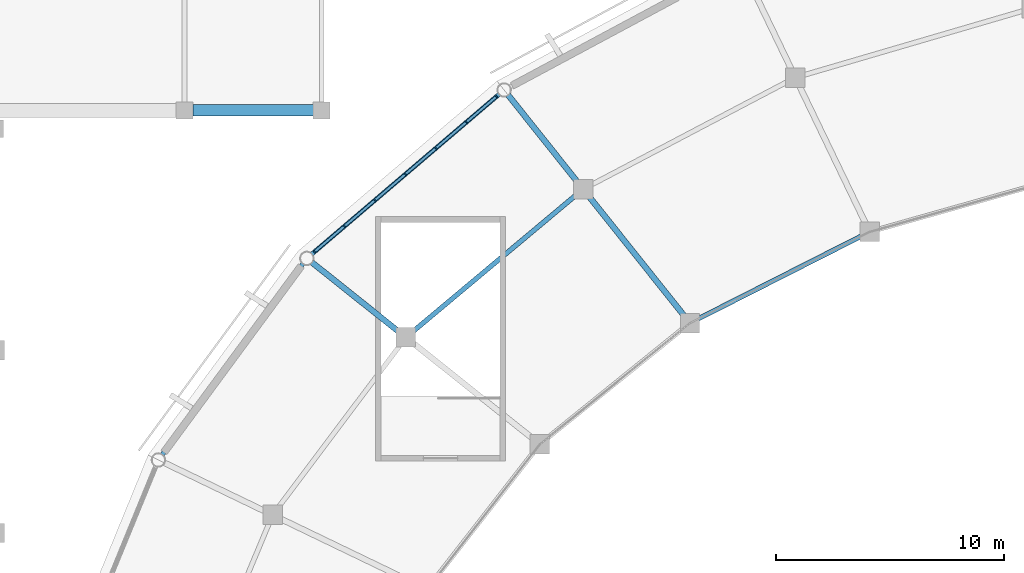
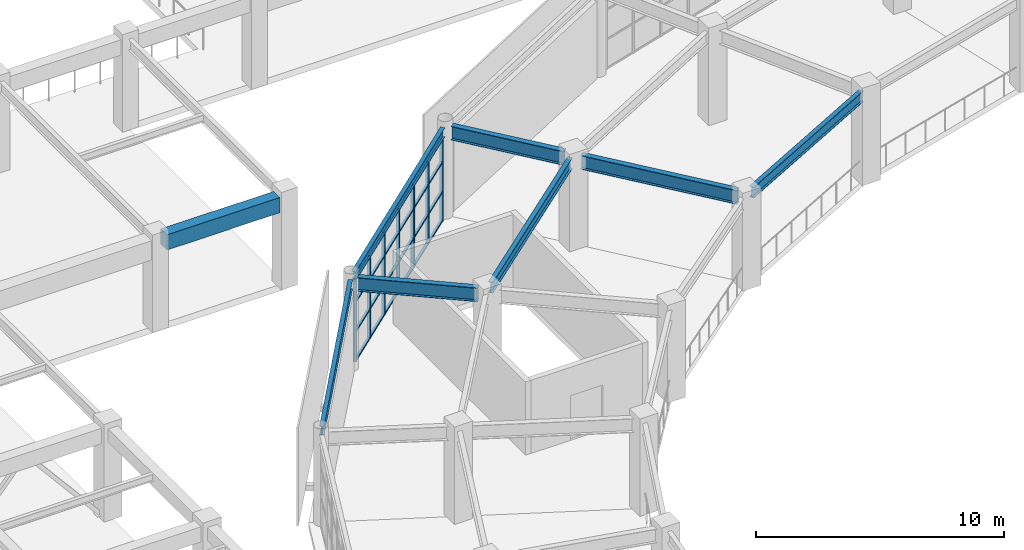
# One storey, part 42 of 112: 31 members, 8 beams, 1 element without a shape of its own.
"""IFC4 building model written with IfcOpenShell, lengths in metres."""

from ifc_helpers import new_model, si_unit, direction, frame, origin, origin_2d, place, context, subcontext, project, spatial, rectangle, i_section, extrude, material, material_profile, profile_set, type_object, element, aggregate, save


model = new_model("IFC4")

# Units and contexts
model_context = context("Model", 3, precision=1e-05, world=origin(), true_north=direction((0.0, 1.0)))
body_context = subcontext(model_context, "Body", "Model", "MODEL_VIEW")
ifc_project = project(units=[si_unit("LENGTHUNIT", "METRE"), si_unit("AREAUNIT", "SQUARE_METRE"), si_unit("VOLUMEUNIT", "CUBIC_METRE"), si_unit("PLANEANGLEUNIT", "RADIAN"), si_unit("MASSUNIT", "GRAM", prefix="KILO")], contexts=[model_context])

# Site, building, storey
site_placement = place(None, origin())
site = spatial("IfcSite", under=ifc_project, at=site_placement, CompositionType="ELEMENT")
building_placement = place(site_placement, origin())
building = spatial("IfcBuilding", under=site, at=building_placement, Name="Cuetzalor Civic Arena", CompositionType="ELEMENT")
storey_placement = place(building_placement, frame((0.0, 0.0, 11.39990234375)))
storey = spatial("IfcBuildingStorey", under=building, at=storey_placement, Name="L02", CompositionType="ELEMENT", Elevation=11.39990234375)

# Beam
ifc_material_1 = material(Name="Concrete C40/50", Category="concrete")
ifc_material_profile_1 = material_profile(ifc_material_1, rectangle(XDim=0.5, YDim=0.75, at=origin_2d()), Name="RC 500x750")
ifc_profile_set_1 = profile_set([ifc_material_profile_1], Name="Concrete C40/50")
beam_type_1 = type_object("IfcBeamType", Name="ConcreteFrameBeam_500x750", PredefinedType="BEAM", material=ifc_profile_set_1)
beam_1_placement = place(storey_placement, frame((-47.635009765625, 35.5, 4.10498046875), z_axis=(1.0, 0.0, 0.0), x_axis=(0.0, 1.0, 0.0)))
element("IfcBeam", 1, at=beam_1_placement, inside=storey, type_object=beam_type_1, Name="Frame Girder V5-L02-X0780", PredefinedType="BEAM", context=body_context, shape_type="SweptSolid", body=[
    extrude(rectangle(XDim=0.5, YDim=0.75, at=origin_2d()), origin(), (0.0, 0.0, 1.0), 5.27001953125),
])

# Curtain wall, members
ifc_material_2 = material(Name="Anodised dark bronze aluminium and low-E solar glass", Category="aluminium")
curtain_wall_type = type_object("IfcCurtainWallType", Name="UnitisedCW_10550x4050", PredefinedType="USERDEFINED", material=ifc_material_2)
curtain_wall_placement = place(storey_placement, origin())
curtain_wall = element("IfcCurtainWall", 2, at=curtain_wall_placement, inside=storey, type_object=curtain_wall_type, Name="Drum Triangle Foyer Curtain Wall L02-037", ObjectType="UNITISED CURTAIN WALL", PredefinedType="USERDEFINED")
ifc_material_3 = material(Name="Anodised dark bronze aluminium", Category="aluminium")
ifc_material_profile_2 = material_profile(ifc_material_3, rectangle(XDim=0.06494140625, YDim=0.14990234375, at=origin_2d()), Name="ALU MULLION 65x150")
ifc_profile_set_2 = profile_set([ifc_material_profile_2], Name="Anodised dark bronze aluminium")
member_type_1 = type_object("IfcMemberType", Name="CurtainWallMullion_60x150", PredefinedType="MULLION", material=ifc_profile_set_2)
member_1_placement = place(storey_placement, frame((-42.310791015625, 29.31201171875, 0.0), z_axis=(0.0, 0.0, 1.0), x_axis=(0.760677142663, 0.64913040649, 0.0)))
member_1 = element("IfcMember", 3, at=member_1_placement, type_object=member_type_1, Name="CW-16 mullion 1", PredefinedType="MULLION", context=body_context, shape_type="SweptSolid", body=[
    extrude(rectangle(XDim=0.06494140625, YDim=0.14990234375, at=origin_2d()), origin(), (0.0, 0.0, 1.0), 4.052978515625),
])
member_2_placement = place(storey_placement, frame((-41.00048828125, 30.43017578125, 0.0), z_axis=(0.0, 0.0, 1.0), x_axis=(0.760677142663, 0.64913040649, 0.0)))
member_2 = element("IfcMember", 4, at=member_2_placement, type_object=member_type_1, Name="CW-16 mullion 2", PredefinedType="MULLION", context=body_context, shape_type="SweptSolid", body=[
    extrude(rectangle(XDim=0.06494140625, YDim=0.14990234375, at=origin_2d()), origin(), (0.0, 0.0, 1.0), 4.052978515625),
])
member_3_placement = place(storey_placement, frame((-39.665283203125, 31.569580078125, 0.0), z_axis=(0.0, 0.0, 1.0), x_axis=(0.760677142663, 0.64913040649, 0.0)))
member_3 = element("IfcMember", 5, at=member_3_placement, type_object=member_type_1, Name="CW-16 mullion 3", PredefinedType="MULLION", context=body_context, shape_type="SweptSolid", body=[
    extrude(rectangle(XDim=0.06494140625, YDim=0.14990234375, at=origin_2d()), origin(), (0.0, 0.0, 1.0), 4.052978515625),
])
member_4_placement = place(storey_placement, frame((-38.330078125, 32.708984375, 0.0), z_axis=(0.0, 0.0, 1.0), x_axis=(0.760677142663, 0.64913040649, 0.0)))
member_4 = element("IfcMember", 6, at=member_4_placement, type_object=member_type_1, Name="CW-16 mullion 4", PredefinedType="MULLION", context=body_context, shape_type="SweptSolid", body=[
    extrude(rectangle(XDim=0.06494140625, YDim=0.14990234375, at=origin_2d()), origin(), (0.0, 0.0, 1.0), 4.052978515625),
])
member_5_placement = place(storey_placement, frame((-36.9951171875, 33.84814453125, 0.0), z_axis=(0.0, 0.0, 1.0), x_axis=(0.760677142663, 0.64913040649, 0.0)))
member_5 = element("IfcMember", 7, at=member_5_placement, type_object=member_type_1, Name="CW-16 mullion 5", PredefinedType="MULLION", context=body_context, shape_type="SweptSolid", body=[
    extrude(rectangle(XDim=0.06494140625, YDim=0.14990234375, at=origin_2d()), origin(), (0.0, 0.0, 1.0), 4.052978515625),
])
member_6_placement = place(storey_placement, frame((-35.659912109375, 34.987548828125, 0.0), z_axis=(0.0, 0.0, 1.0), x_axis=(0.760677142663, 0.64913040649, 0.0)))
member_6 = element("IfcMember", 8, at=member_6_placement, type_object=member_type_1, Name="CW-16 mullion 6", PredefinedType="MULLION", context=body_context, shape_type="SweptSolid", body=[
    extrude(rectangle(XDim=0.06494140625, YDim=0.14990234375, at=origin_2d()), origin(), (0.0, 0.0, 1.0), 4.052978515625),
])
member_7_placement = place(storey_placement, frame((-34.349609375, 36.105712890625, 0.0), z_axis=(0.0, 0.0, 1.0), x_axis=(0.760677142663, 0.64913040649, 0.0)))
member_7 = element("IfcMember", 9, at=member_7_placement, type_object=member_type_1, Name="CW-16 mullion 7", PredefinedType="MULLION", context=body_context, shape_type="SweptSolid", body=[
    extrude(rectangle(XDim=0.06494140625, YDim=0.14990234375, at=origin_2d()), origin(), (0.0, 0.0, 1.0), 4.052978515625),
])
ifc_material_4 = material(Name="Anodised dark bronze aluminium", Category="aluminium")
ifc_material_profile_3 = material_profile(ifc_material_4, rectangle(XDim=0.1201171875, YDim=0.06494140625, at=origin_2d()), Name="ALU TRANSOM 65x120")
ifc_profile_set_3 = profile_set([ifc_material_profile_3], Name="Anodised dark bronze aluminium")
member_type_2 = type_object("IfcMemberType", Name="CurtainWallTransom_60x120", PredefinedType="USERDEFINED", material=ifc_profile_set_3)
member_8_placement = place(storey_placement, frame((-42.2861328125, 29.3330078125, 0.03271484375), z_axis=(0.760647860906, 0.649164718465, 0.0), x_axis=(-0.649164718465, 0.760647860906, 0.0)))
member_8 = element("IfcMember", 10, at=member_8_placement, type_object=member_type_2, Name="CW-16 transom 1.1", ObjectType="TRANSOM", PredefinedType="USERDEFINED", context=body_context, shape_type="SweptSolid", body=[
    extrude(rectangle(XDim=0.1201171875, YDim=0.06494140625, at=origin_2d()), origin(), (0.0, 0.0, 1.0), 1.65771484375),
])
member_9_placement = place(storey_placement, frame((-42.2861328125, 29.3330078125, 1.458984375), z_axis=(0.760647860906, 0.649164718465, 0.0), x_axis=(-0.649164718465, 0.760647860906, 0.0)))
member_9 = element("IfcMember", 11, at=member_9_placement, type_object=member_type_2, Name="CW-16 transom 1.2", ObjectType="TRANSOM", PredefinedType="USERDEFINED", context=body_context, shape_type="SweptSolid", body=[
    extrude(rectangle(XDim=0.1201171875, YDim=0.06494140625, at=origin_2d()), origin(), (0.0, 0.0, 1.0), 1.65771484375),
])
member_10_placement = place(storey_placement, frame((-42.2861328125, 29.3330078125, 2.918212890625), z_axis=(0.760647860906, 0.649164718465, 0.0), x_axis=(-0.649164718465, 0.760647860906, 0.0)))
member_10 = element("IfcMember", 12, at=member_10_placement, type_object=member_type_2, Name="CW-16 transom 1.3", ObjectType="TRANSOM", PredefinedType="USERDEFINED", context=body_context, shape_type="SweptSolid", body=[
    extrude(rectangle(XDim=0.1201171875, YDim=0.06494140625, at=origin_2d()), origin(), (0.0, 0.0, 1.0), 1.65771484375),
])
member_11_placement = place(storey_placement, frame((-42.2861328125, 29.3330078125, 4.0205078125), z_axis=(0.760647860906, 0.649164718465, 0.0), x_axis=(-0.649164718465, 0.760647860906, 0.0)))
member_11 = element("IfcMember", 13, at=member_11_placement, type_object=member_type_2, Name="CW-16 transom 1.4", ObjectType="TRANSOM", PredefinedType="USERDEFINED", context=body_context, shape_type="SweptSolid", body=[
    extrude(rectangle(XDim=0.1201171875, YDim=0.06494140625, at=origin_2d()), origin(), (0.0, 0.0, 1.0), 1.65771484375),
])
member_12_placement = place(storey_placement, frame((-40.9755859375, 30.451416015625, 0.03271484375), z_axis=(0.760661918834, 0.649148245963, 0.0), x_axis=(-0.649148245963, 0.760661918834, 0.0)))
member_12 = element("IfcMember", 14, at=member_12_placement, type_object=member_type_2, Name="CW-16 transom 2.1", ObjectType="TRANSOM", PredefinedType="USERDEFINED", context=body_context, shape_type="SweptSolid", body=[
    extrude(rectangle(XDim=0.1201171875, YDim=0.06494140625, at=origin_2d()), origin(), (0.0, 0.0, 1.0), 1.690185546875),
])
member_13_placement = place(storey_placement, frame((-40.9755859375, 30.451416015625, 1.458984375), z_axis=(0.760661918834, 0.649148245963, 0.0), x_axis=(-0.649148245963, 0.760661918834, 0.0)))
member_13 = element("IfcMember", 15, at=member_13_placement, type_object=member_type_2, Name="CW-16 transom 2.2", ObjectType="TRANSOM", PredefinedType="USERDEFINED", context=body_context, shape_type="SweptSolid", body=[
    extrude(rectangle(XDim=0.1201171875, YDim=0.06494140625, at=origin_2d()), origin(), (0.0, 0.0, 1.0), 1.690185546875),
])
member_14_placement = place(storey_placement, frame((-40.9755859375, 30.451416015625, 2.918212890625), z_axis=(0.760661918834, 0.649148245963, 0.0), x_axis=(-0.649148245963, 0.760661918834, 0.0)))
member_14 = element("IfcMember", 16, at=member_14_placement, type_object=member_type_2, Name="CW-16 transom 2.3", ObjectType="TRANSOM", PredefinedType="USERDEFINED", context=body_context, shape_type="SweptSolid", body=[
    extrude(rectangle(XDim=0.1201171875, YDim=0.06494140625, at=origin_2d()), origin(), (0.0, 0.0, 1.0), 1.690185546875),
])
member_15_placement = place(storey_placement, frame((-40.9755859375, 30.451416015625, 4.0205078125), z_axis=(0.760661918834, 0.649148245963, 0.0), x_axis=(-0.649148245963, 0.760661918834, 0.0)))
member_15 = element("IfcMember", 17, at=member_15_placement, type_object=member_type_2, Name="CW-16 transom 2.4", ObjectType="TRANSOM", PredefinedType="USERDEFINED", context=body_context, shape_type="SweptSolid", body=[
    extrude(rectangle(XDim=0.1201171875, YDim=0.06494140625, at=origin_2d()), origin(), (0.0, 0.0, 1.0), 1.690185546875),
])
member_16_placement = place(storey_placement, frame((-39.640625, 31.590576171875, 0.03271484375), z_axis=(0.760661918834, 0.649148245963, 0.0), x_axis=(-0.649148245963, 0.760661918834, 0.0)))
member_16 = element("IfcMember", 18, at=member_16_placement, type_object=member_type_2, Name="CW-16 transom 3.1", ObjectType="TRANSOM", PredefinedType="USERDEFINED", context=body_context, shape_type="SweptSolid", body=[
    extrude(rectangle(XDim=0.1201171875, YDim=0.06494140625, at=origin_2d()), origin(), (0.0, 0.0, 1.0), 1.690185546875),
])
member_17_placement = place(storey_placement, frame((-39.640625, 31.590576171875, 1.458984375), z_axis=(0.760661918834, 0.649148245963, 0.0), x_axis=(-0.649148245963, 0.760661918834, 0.0)))
member_17 = element("IfcMember", 19, at=member_17_placement, type_object=member_type_2, Name="CW-16 transom 3.2", ObjectType="TRANSOM", PredefinedType="USERDEFINED", context=body_context, shape_type="SweptSolid", body=[
    extrude(rectangle(XDim=0.1201171875, YDim=0.06494140625, at=origin_2d()), origin(), (0.0, 0.0, 1.0), 1.690185546875),
])
member_18_placement = place(storey_placement, frame((-39.640625, 31.590576171875, 2.918212890625), z_axis=(0.760661918834, 0.649148245963, 0.0), x_axis=(-0.649148245963, 0.760661918834, 0.0)))
member_18 = element("IfcMember", 20, at=member_18_placement, type_object=member_type_2, Name="CW-16 transom 3.3", ObjectType="TRANSOM", PredefinedType="USERDEFINED", context=body_context, shape_type="SweptSolid", body=[
    extrude(rectangle(XDim=0.1201171875, YDim=0.06494140625, at=origin_2d()), origin(), (0.0, 0.0, 1.0), 1.690185546875),
])
member_19_placement = place(storey_placement, frame((-39.640625, 31.590576171875, 4.0205078125), z_axis=(0.760661918834, 0.649148245963, 0.0), x_axis=(-0.649148245963, 0.760661918834, 0.0)))
member_19 = element("IfcMember", 21, at=member_19_placement, type_object=member_type_2, Name="CW-16 transom 3.4", ObjectType="TRANSOM", PredefinedType="USERDEFINED", context=body_context, shape_type="SweptSolid", body=[
    extrude(rectangle(XDim=0.1201171875, YDim=0.06494140625, at=origin_2d()), origin(), (0.0, 0.0, 1.0), 1.690185546875),
])
member_20_placement = place(storey_placement, frame((-38.305419921875, 32.72998046875, 0.03271484375), z_axis=(0.760661918834, 0.649148245963, 0.0), x_axis=(-0.649148245963, 0.760661918834, 0.0)))
member_20 = element("IfcMember", 22, at=member_20_placement, type_object=member_type_2, Name="CW-16 transom 4.1", ObjectType="TRANSOM", PredefinedType="USERDEFINED", context=body_context, shape_type="SweptSolid", body=[
    extrude(rectangle(XDim=0.1201171875, YDim=0.06494140625, at=origin_2d()), origin(), (0.0, 0.0, 1.0), 1.690185546875),
])
member_21_placement = place(storey_placement, frame((-38.305419921875, 32.72998046875, 1.458984375), z_axis=(0.760661918834, 0.649148245963, 0.0), x_axis=(-0.649148245963, 0.760661918834, 0.0)))
member_21 = element("IfcMember", 23, at=member_21_placement, type_object=member_type_2, Name="CW-16 transom 4.2", ObjectType="TRANSOM", PredefinedType="USERDEFINED", context=body_context, shape_type="SweptSolid", body=[
    extrude(rectangle(XDim=0.1201171875, YDim=0.06494140625, at=origin_2d()), origin(), (0.0, 0.0, 1.0), 1.690185546875),
])
member_22_placement = place(storey_placement, frame((-38.305419921875, 32.72998046875, 2.918212890625), z_axis=(0.760661918834, 0.649148245963, 0.0), x_axis=(-0.649148245963, 0.760661918834, 0.0)))
member_22 = element("IfcMember", 24, at=member_22_placement, type_object=member_type_2, Name="CW-16 transom 4.3", ObjectType="TRANSOM", PredefinedType="USERDEFINED", context=body_context, shape_type="SweptSolid", body=[
    extrude(rectangle(XDim=0.1201171875, YDim=0.06494140625, at=origin_2d()), origin(), (0.0, 0.0, 1.0), 1.690185546875),
])
member_23_placement = place(storey_placement, frame((-38.305419921875, 32.72998046875, 4.0205078125), z_axis=(0.760661918834, 0.649148245963, 0.0), x_axis=(-0.649148245963, 0.760661918834, 0.0)))
member_23 = element("IfcMember", 25, at=member_23_placement, type_object=member_type_2, Name="CW-16 transom 4.4", ObjectType="TRANSOM", PredefinedType="USERDEFINED", context=body_context, shape_type="SweptSolid", body=[
    extrude(rectangle(XDim=0.1201171875, YDim=0.06494140625, at=origin_2d()), origin(), (0.0, 0.0, 1.0), 1.690185546875),
])
member_24_placement = place(storey_placement, frame((-36.97021484375, 33.869384765625, 0.03271484375), z_axis=(0.760661918834, 0.649148245963, 0.0), x_axis=(-0.649148245963, 0.760661918834, 0.0)))
member_24 = element("IfcMember", 26, at=member_24_placement, type_object=member_type_2, Name="CW-16 transom 5.1", ObjectType="TRANSOM", PredefinedType="USERDEFINED", context=body_context, shape_type="SweptSolid", body=[
    extrude(rectangle(XDim=0.1201171875, YDim=0.06494140625, at=origin_2d()), origin(), (0.0, 0.0, 1.0), 1.690185546875),
])
member_25_placement = place(storey_placement, frame((-36.97021484375, 33.869384765625, 1.458984375), z_axis=(0.760661918834, 0.649148245963, 0.0), x_axis=(-0.649148245963, 0.760661918834, 0.0)))
member_25 = element("IfcMember", 27, at=member_25_placement, type_object=member_type_2, Name="CW-16 transom 5.2", ObjectType="TRANSOM", PredefinedType="USERDEFINED", context=body_context, shape_type="SweptSolid", body=[
    extrude(rectangle(XDim=0.1201171875, YDim=0.06494140625, at=origin_2d()), origin(), (0.0, 0.0, 1.0), 1.690185546875),
])
member_26_placement = place(storey_placement, frame((-36.97021484375, 33.869384765625, 2.918212890625), z_axis=(0.760661918834, 0.649148245963, 0.0), x_axis=(-0.649148245963, 0.760661918834, 0.0)))
member_26 = element("IfcMember", 28, at=member_26_placement, type_object=member_type_2, Name="CW-16 transom 5.3", ObjectType="TRANSOM", PredefinedType="USERDEFINED", context=body_context, shape_type="SweptSolid", body=[
    extrude(rectangle(XDim=0.1201171875, YDim=0.06494140625, at=origin_2d()), origin(), (0.0, 0.0, 1.0), 1.690185546875),
])
member_27_placement = place(storey_placement, frame((-36.97021484375, 33.869384765625, 4.0205078125), z_axis=(0.760661918834, 0.649148245963, 0.0), x_axis=(-0.649148245963, 0.760661918834, 0.0)))
member_27 = element("IfcMember", 29, at=member_27_placement, type_object=member_type_2, Name="CW-16 transom 5.4", ObjectType="TRANSOM", PredefinedType="USERDEFINED", context=body_context, shape_type="SweptSolid", body=[
    extrude(rectangle(XDim=0.1201171875, YDim=0.06494140625, at=origin_2d()), origin(), (0.0, 0.0, 1.0), 1.690185546875),
])
member_28_placement = place(storey_placement, frame((-35.63525390625, 35.008544921875, 0.03271484375), z_axis=(0.760647860906, 0.649164718465, 0.0), x_axis=(-0.649164718465, 0.760647860906, 0.0)))
member_28 = element("IfcMember", 30, at=member_28_placement, type_object=member_type_2, Name="CW-16 transom 6.1", ObjectType="TRANSOM", PredefinedType="USERDEFINED", context=body_context, shape_type="SweptSolid", body=[
    extrude(rectangle(XDim=0.1201171875, YDim=0.06494140625, at=origin_2d()), origin(), (0.0, 0.0, 1.0), 1.65771484375),
])
member_29_placement = place(storey_placement, frame((-35.63525390625, 35.008544921875, 1.458984375), z_axis=(0.760647860906, 0.649164718465, 0.0), x_axis=(-0.649164718465, 0.760647860906, 0.0)))
member_29 = element("IfcMember", 31, at=member_29_placement, type_object=member_type_2, Name="CW-16 transom 6.2", ObjectType="TRANSOM", PredefinedType="USERDEFINED", context=body_context, shape_type="SweptSolid", body=[
    extrude(rectangle(XDim=0.1201171875, YDim=0.06494140625, at=origin_2d()), origin(), (0.0, 0.0, 1.0), 1.65771484375),
])
member_30_placement = place(storey_placement, frame((-35.63525390625, 35.008544921875, 2.918212890625), z_axis=(0.760647860906, 0.649164718465, 0.0), x_axis=(-0.649164718465, 0.760647860906, 0.0)))
member_30 = element("IfcMember", 32, at=member_30_placement, type_object=member_type_2, Name="CW-16 transom 6.3", ObjectType="TRANSOM", PredefinedType="USERDEFINED", context=body_context, shape_type="SweptSolid", body=[
    extrude(rectangle(XDim=0.1201171875, YDim=0.06494140625, at=origin_2d()), origin(), (0.0, 0.0, 1.0), 1.65771484375),
])
member_31_placement = place(storey_placement, frame((-35.63525390625, 35.008544921875, 4.0205078125), z_axis=(0.760647860906, 0.649164718465, 0.0), x_axis=(-0.649164718465, 0.760647860906, 0.0)))
member_31 = element("IfcMember", 33, at=member_31_placement, type_object=member_type_2, Name="CW-16 transom 6.4", ObjectType="TRANSOM", PredefinedType="USERDEFINED", context=body_context, shape_type="SweptSolid", body=[
    extrude(rectangle(XDim=0.1201171875, YDim=0.06494140625, at=origin_2d()), origin(), (0.0, 0.0, 1.0), 1.65771484375),
])
aggregate(curtain_wall, [member_1, member_2, member_3, member_4, member_5, member_6, member_7, member_8, member_9, member_10, member_11, member_12, member_13, member_14, member_15, member_16, member_17, member_18, member_19, member_20, member_21, member_22, member_23, member_24, member_25, member_26, member_27, member_28, member_29, member_30, member_31])

# Beams
ifc_material_5 = material(Name="Steel S355", Category="steel")
ifc_material_profile_4 = material_profile(ifc_material_5, i_section(OverallWidth=0.18994140625, OverallDepth=0.45703125, WebThickness=0.009033203125, FlangeThickness=0.014404296875, at=origin_2d()), Name="W460x74")
ifc_profile_set_4 = profile_set([ifc_material_profile_4], Name="Steel S355")
beam_type_2 = type_object("IfcBeamType", Name="FacadeSpandrelBeam_W460", PredefinedType="SPANDREL", material=ifc_profile_set_4)
beam_2_placement = place(storey_placement, frame((-34.23193359375, 36.2060546875, 4.29150390625), z_axis=(-0.760676650628, -0.649130983076, 0.0), x_axis=(0.649130983076, -0.760676650628, 0.0)))
element("IfcBeam", 34, at=beam_2_placement, inside=storey, type_object=beam_type_2, Name="Drum Perimeter Spandrel L02-S11", PredefinedType="SPANDREL", context=body_context, shape_type="SweptSolid", body=[
    extrude(i_section(OverallWidth=0.18994140625, OverallDepth=0.45703125, WebThickness=0.009033203125, FlangeThickness=0.014404296875, at=origin_2d()), origin(), (0.0, 0.0, 1.0), 10.77490234375),
])
beam_3_placement = place(storey_placement, frame((-42.82080078125, 28.7900390625, 4.29150390625), z_axis=(-0.592928645702, -0.805255003776, 0.0), x_axis=(0.805255003776, -0.592928645702, 0.0)))
element("IfcBeam", 35, at=beam_3_placement, inside=storey, type_object=beam_type_2, Name="Drum Perimeter Spandrel L02-S12", PredefinedType="SPANDREL", context=body_context, shape_type="SweptSolid", body=[
    extrude(i_section(OverallWidth=0.18994140625, OverallDepth=0.45703125, WebThickness=0.009033203125, FlangeThickness=0.014404296875, at=origin_2d()), origin(), (0.0, 0.0, 1.0), 10.380615234375),
])
ifc_material_6 = material(Name="Steel S355", Category="steel")
ifc_material_profile_5 = material_profile(ifc_material_6, i_section(OverallWidth=0.208984375, OverallDepth=0.532958984375, WebThickness=0.01025390625, FlangeThickness=0.015625, at=origin_2d()), Name="W530x92")
ifc_profile_set_5 = profile_set([ifc_material_profile_5], Name="Steel S355")
beam_type_3 = type_object("IfcBeamType", Name="SteelCollarGirder_W530", PredefinedType="BEAM", material=ifc_profile_set_5)
beam_4_placement = place(storey_placement, frame((-18.327392578125, 30.019775390625, 4.253662109375), z_axis=(-0.89182706622, -0.452376484754, 0.0), x_axis=(0.452376484754, -0.89182706622, 0.0)))
element("IfcBeam", 36, at=beam_4_placement, inside=storey, type_object=beam_type_3, Name="Bowl Inner Ring Girder L02-S10", PredefinedType="BEAM", context=body_context, shape_type="SweptSolid", body=[
    extrude(i_section(OverallWidth=0.208984375, OverallDepth=0.532958984375, WebThickness=0.01025390625, FlangeThickness=0.015625, at=origin_2d()), origin(), (0.0, 0.0, 1.0), 8.102783203125),
])
beam_5_placement = place(storey_placement, frame((-30.834716796875, 31.817626953125, 4.253662109375), z_axis=(-0.766937066427, -0.641722320121, 0.0), x_axis=(0.641722320121, -0.766937066427, 0.0)))
element("IfcBeam", 37, at=beam_5_placement, inside=storey, type_object=beam_type_3, Name="Drum Concourse Ring Girder L02-S11", PredefinedType="BEAM", context=body_context, shape_type="SweptSolid", body=[
    extrude(i_section(OverallWidth=0.208984375, OverallDepth=0.532958984375, WebThickness=0.01025390625, FlangeThickness=0.015625, at=origin_2d()), origin(), (0.0, 0.0, 1.0), 9.37646484375),
])
ifc_material_7 = material(Name="Steel S355", Category="steel")
ifc_material_profile_6 = material_profile(ifc_material_7, i_section(OverallWidth=0.2529296875, OverallDepth=0.677978515625, WebThickness=0.01171875, FlangeThickness=0.016357421875, at=origin_2d()), Name="W690x125")
ifc_profile_set_6 = profile_set([ifc_material_profile_6], Name="Steel S355")
beam_type_4 = type_object("IfcBeamType", Name="SteelPrimaryGirder_W690", PredefinedType="BEAM", material=ifc_profile_set_6)
beam_6_placement = place(storey_placement, frame((-30.775390625, 32.336669921875, 4.18115234375), z_axis=(-0.623515538789, 0.781810957258, 0.0), x_axis=(-0.781810957258, -0.623515538789, 0.0)))
element("IfcBeam", 38, at=beam_6_placement, inside=storey, type_object=beam_type_4, Name="Drum Radial Girder L02-R11", PredefinedType="BEAM", context=body_context, shape_type="SweptSolid", body=[
    extrude(i_section(OverallWidth=0.2529296875, OverallDepth=0.677978515625, WebThickness=0.01171875, FlangeThickness=0.016357421875, at=origin_2d()), origin(), (0.0, 0.0, 1.0), 4.89990234375),
])
beam_7_placement = place(storey_placement, frame((-26.099365234375, 26.472900390625, 4.18115234375), z_axis=(-0.623473464464, 0.781844510826, 0.0), x_axis=(-0.781844510826, -0.623473464464, 0.0)))
element("IfcBeam", 39, at=beam_7_placement, inside=storey, type_object=beam_type_4, Name="Drum Inner Radial Girder L02-R11", PredefinedType="BEAM", context=body_context, shape_type="SweptSolid", body=[
    extrude(i_section(OverallWidth=0.2529296875, OverallDepth=0.677978515625, WebThickness=0.01171875, FlangeThickness=0.016357421875, at=origin_2d()), origin(), (0.0, 0.0, 1.0), 6.77978515625),
])
beam_8_placement = place(storey_placement, frame((-38.59130859375, 25.78759765625, 4.18115234375), z_axis=(-0.781810957258, 0.623515538789, 0.0), x_axis=(-0.623515538789, -0.781810957258, 0.0)))
element("IfcBeam", 40, at=beam_8_placement, inside=storey, type_object=beam_type_4, Name="Drum Radial Girder L02-R12", PredefinedType="BEAM", context=body_context, shape_type="SweptSolid", body=[
    extrude(i_section(OverallWidth=0.2529296875, OverallDepth=0.677978515625, WebThickness=0.01171875, FlangeThickness=0.016357421875, at=origin_2d()), origin(), (0.0, 0.0, 1.0), 4.89990234375),
])

save(model, "model.ifc")
